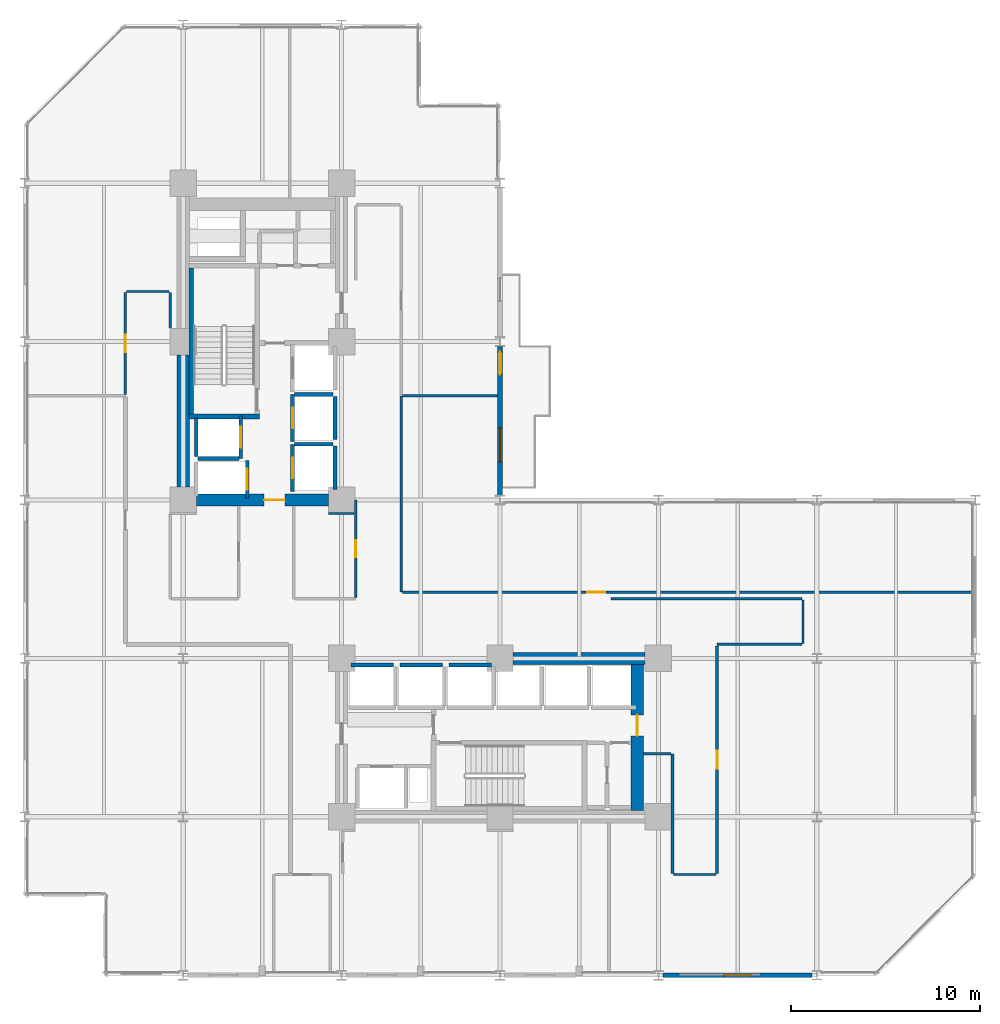
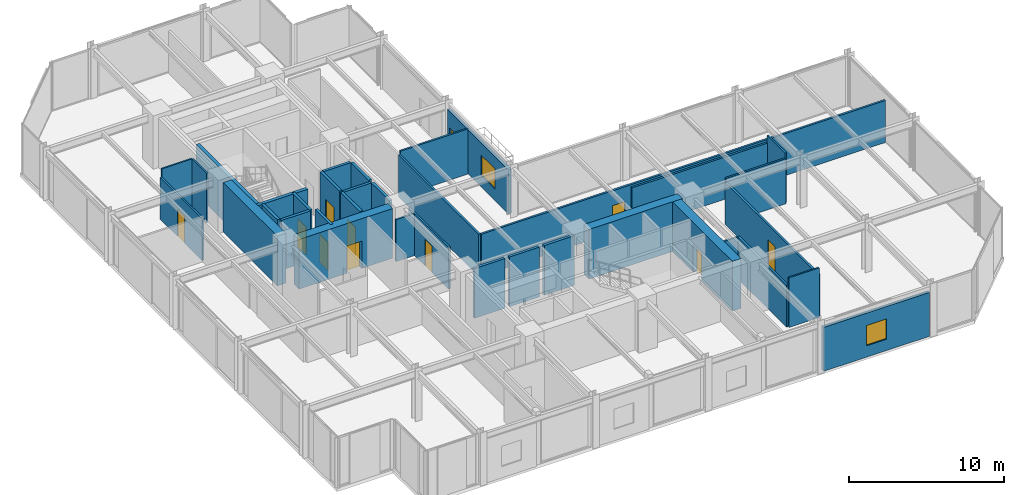
# One storey, part 20 of 24: 36 walls, 11 doors, 2 windows, 13 openings.
"""IFC4 building model written with IfcOpenShell, lengths in metres."""

from ifc_helpers import new_model, si_unit, direction, frame, frame_2d, origin, place, context, subcontext, project, spatial, rectangle, extrude, material, layer, layer_set, type_object, element, fill, save


model = new_model("IFC4")

# Units and contexts
model_context = context("Model", 3, precision=1e-05, world=origin(), true_north=direction((0.0, 1.0)))
body_context = subcontext(model_context, "Body", "Model", "MODEL_VIEW")
ifc_project = project(units=[si_unit("LENGTHUNIT", "METRE"), si_unit("AREAUNIT", "SQUARE_METRE"), si_unit("VOLUMEUNIT", "CUBIC_METRE"), si_unit("PLANEANGLEUNIT", "RADIAN"), si_unit("MASSUNIT", "GRAM", prefix="KILO")], contexts=[model_context])

# Site, building, storey
site_placement = place(None, origin())
site = spatial("IfcSite", under=ifc_project, at=site_placement, CompositionType="ELEMENT")
building_placement = place(site_placement, origin())
building = spatial("IfcBuilding", under=site, at=building_placement, Name="Nerrivon Quay Data Exchange", CompositionType="ELEMENT")
storey_placement = place(building_placement, frame((0.0, 0.0, 50.0)))
storey = spatial("IfcBuildingStorey", under=building, at=storey_placement, Name="L11", CompositionType="ELEMENT", Elevation=50.0)

# Wall, opening, window
ifc_material_1 = material(Name="Architectural terracotta precast concrete N50 (50 MPa)", Category="masonry")
ifc_layer_1 = layer(ifc_material_1, 0.239990234375)
ifc_layer_set_1 = layer_set([ifc_layer_1], Name="Architectural terracotta precast concrete N50 (50 MPa)")
wall_type_1 = type_object("IfcWallType", Name="EW-PREC-240", PredefinedType="STANDARD", material=ifc_layer_set_1)
wall_1_placement = place(storey_placement, frame((41.75, 0.0, 0.0), z_axis=(0.0, 0.0, 1.0), x_axis=(-1.0, 0.0, 0.0)))
wall_1 = element("IfcWall", 1, at=wall_1_placement, inside=storey, type_object=wall_type_1, Name="L11 Podium Precast Spandrel Wall 3", PredefinedType="STANDARD", context=body_context, shape_type="SweptSolid", body=[
    extrude(rectangle(XDim=7.89990234375, YDim=0.239990234375, at=frame_2d((3.949951171875, 0.0))), origin(), (0.0, 0.0, 1.0), 3.470947265625),
])
opening_1_placement = place(wall_1_placement, frame((3.199951171875, 0.0, 0.89990234375)))
opening_1 = element("IfcOpeningElement", 2, at=opening_1_placement, cuts=wall_1, Name="Opening WN4", PredefinedType="OPENING", context=body_context, shape_type="SweptSolid", body=[
    extrude(rectangle(XDim=1.5, YDim=1.60009765625, at=frame_2d((0.75, 0.800048828125))), frame((0.0, 0.1298828125, 0.0), z_axis=(0.0, -1.0, 0.0), x_axis=(1.0, 0.0, 0.0)), (0.0, 0.0, 1.0), 0.260009765625),
])
ifc_material_2 = material(Name="Double-glazed low-E solar control glass", Category="glass")
window_type_1 = type_object("IfcWindowType", Name="WIN-W4-1500x1600", PartitioningType="SINGLE_PANEL", PredefinedType="WINDOW", material=ifc_material_2)
window_1_placement = place(opening_1_placement, origin())
window_1 = element("IfcWindow", 3, at=window_1_placement, inside=storey, type_object=window_type_1, Name="L11 Solar Facade Window 3", OverallHeight=1.60009765625, OverallWidth=1.5, PartitioningType="SINGLE_PANEL", PredefinedType="WINDOW", context=body_context, shape_type="SweptSolid", body=[
    extrude(rectangle(XDim=1.5, YDim=1.60009765625, at=frame_2d((0.75, 0.800048828125))), frame((0.0, 0.030029296875, 0.0), z_axis=(0.0, -1.0, 0.0), x_axis=(1.0, 0.0, 0.0)), (0.0, 0.0, 1.0), 0.06005859375),
])
fill(opening_1, window_1)

# Wall, openings, door, window
wall_2_placement = place(storey_placement, frame((25.199951171875, 33.35009765625, 0.0), z_axis=(0.0, 0.0, 1.0), x_axis=(0.0, -1.0, 0.0)))
wall_2 = element("IfcWall", 4, at=wall_2_placement, inside=storey, type_object=wall_type_1, Name="L11 Terrace Host Wall 27", PredefinedType="STANDARD", context=body_context, shape_type="SweptSolid", body=[
    extrude(rectangle(XDim=7.900146484375, YDim=0.239990234375, at=frame_2d((3.9501953125, 0.0))), origin(), (0.0, 0.0, 1.0), 3.470947265625),
])
opening_2_placement = place(wall_2_placement, frame((0.300048828125, 0.0, 0.0)))
opening_2 = element("IfcOpeningElement", 5, at=opening_2_placement, cuts=wall_2, Name="Opening TD1", PredefinedType="OPENING", context=body_context, shape_type="SweptSolid", body=[
    extrude(rectangle(XDim=1.199951171875, YDim=2.199951171875, at=frame_2d((0.60009765625, 1.10009765625))), frame((0.0, 0.1298828125, 0.0), z_axis=(0.0, -1.0, 0.0), x_axis=(1.0, 0.0, 0.0)), (0.0, 0.0, 1.0), 0.260009765625),
])
opening_3_placement = place(wall_2_placement, frame((4.3291015625, 0.0, 0.89990234375)))
opening_3 = element("IfcOpeningElement", 6, at=opening_3_placement, cuts=wall_2, Name="Opening WN2", PredefinedType="OPENING", context=body_context, shape_type="SweptSolid", body=[
    extrude(rectangle(XDim=1.800048828125, YDim=1.60009765625, at=frame_2d((0.89990234375, 0.800048828125))), frame((0.0, 0.1298828125, 0.0), z_axis=(0.0, -1.0, 0.0), x_axis=(1.0, 0.0, 0.0)), (0.0, 0.0, 1.0), 0.260009765625),
])
door_type_1 = type_object("IfcDoorType", Name="DR-TERR-1200x2200", OperationType="NOTDEFINED", PredefinedType="DOOR", material=ifc_material_2)
door_1_placement = place(opening_2_placement, origin())
door_1 = element("IfcDoor", 7, at=door_1_placement, inside=storey, type_object=door_type_1, Name="L11 Outdoor Terrace Access Door 27", OperationType="SINGLE_SWING_RIGHT", OverallHeight=2.199951171875, OverallWidth=1.199951171875, PredefinedType="DOOR", context=body_context, shape_type="SweptSolid", body=[
    extrude(rectangle(XDim=1.199951171875, YDim=2.199951171875, at=frame_2d((0.60009765625, 1.10009765625))), frame((0.0, 0.02490234375, 0.0), z_axis=(0.0, -1.0, 0.0), x_axis=(1.0, 0.0, 0.0)), (0.0, 0.0, 1.0), 0.050048828125),
])
fill(opening_2, door_1)
window_type_2 = type_object("IfcWindowType", Name="WIN-W2-1800x1600", PartitioningType="SINGLE_PANEL", PredefinedType="WINDOW", material=ifc_material_2)
window_2_placement = place(opening_3_placement, origin())
window_2 = element("IfcWindow", 8, at=window_2_placement, inside=storey, type_object=window_type_2, Name="L11 Terrace Side Window 27", OverallHeight=1.60009765625, OverallWidth=1.800048828125, PartitioningType="SINGLE_PANEL", PredefinedType="WINDOW", context=body_context, shape_type="SweptSolid", body=[
    extrude(rectangle(XDim=1.800048828125, YDim=1.60009765625, at=frame_2d((0.89990234375, 0.800048828125))), frame((0.0, 0.030029296875, 0.0), z_axis=(0.0, -1.0, 0.0), x_axis=(1.0, 0.0, 0.0)), (0.0, 0.0, 1.0), 0.06005859375),
])
fill(opening_3, window_2)

# Wall
ifc_material_3 = material(Name="Concrete N80 (80 MPa)", Category="concrete")
ifc_layer_2 = layer(ifc_material_3, 0.64990234375)
ifc_layer_set_2 = layer_set([ifc_layer_2], Name="Concrete N80 (80 MPa)")
wall_type_2 = type_object("IfcWallType", Name="WALL-CW-850", PredefinedType="SHEAR", material=ifc_layer_set_2)
wall_3_placement = place(storey_placement, frame((8.39990234375, 25.89990234375, 0.0), z_axis=(0.0, 0.0, 1.0), x_axis=(0.0, 1.0, 0.0)))
element("IfcWall", 9, at=wall_3_placement, inside=storey, type_object=wall_type_2, Name="L11 West Split-Core Shear Wall WCW-W1", PredefinedType="SHEAR", context=body_context, shape_type="SweptSolid", body=[
    extrude(rectangle(XDim=7.0, YDim=0.64990234375, at=frame_2d((3.5, 0.0))), origin(), (0.0, 0.0, 1.0), 3.925048828125),
])

# Wall, opening, door
wall_4_placement = place(storey_placement, frame((9.10009765625, 25.199951171875, 0.0), z_axis=(0.0, 0.0, 1.0), x_axis=(1.0, 0.0, 0.0)))
wall_4 = element("IfcWall", 10, at=wall_4_placement, inside=storey, type_object=wall_type_2, Name="L11 West Split-Core Shear Wall WCW-S1", PredefinedType="SHEAR", context=body_context, shape_type="SweptSolid", body=[
    extrude(rectangle(XDim=7.0, YDim=0.64990234375, at=frame_2d((3.5, 0.0))), origin(), (0.0, 0.0, 1.0), 3.925048828125),
])
opening_4_placement = place(wall_4_placement, frame((3.60009765625, 0.0, 0.0)))
opening_4 = element("IfcOpeningElement", 11, at=opening_4_placement, cuts=wall_4, Name="Opening FD-120", PredefinedType="OPENING", context=body_context, shape_type="SweptSolid", body=[
    extrude(rectangle(XDim=1.10009765625, YDim=2.14990234375, at=frame_2d((0.550048828125, 1.074951171875))), frame((0.0, 0.3349609375, 0.0), z_axis=(0.0, -1.0, 0.0), x_axis=(1.0, 0.0, 0.0)), (0.0, 0.0, 1.0), 0.669921875),
])
ifc_material_4 = material(Name="Powder-coated galvanized steel sheet", Category="steel")
door_type_2 = type_object("IfcDoorType", Name="DR-FD120-1100", OperationType="NOTDEFINED", PredefinedType="DOOR", material=ifc_material_4)
door_2_placement = place(opening_4_placement, origin())
door_2 = element("IfcDoor", 12, at=door_2_placement, inside=storey, type_object=door_type_2, Name="L11 West Core Lobby Fire Door", OperationType="SINGLE_SWING_RIGHT", OverallHeight=2.14990234375, OverallWidth=1.10009765625, PredefinedType="DOOR", context=body_context, shape_type="SweptSolid", body=[
    extrude(rectangle(XDim=1.10009765625, YDim=2.14990234375, at=frame_2d((0.550048828125, 1.074951171875))), frame((0.0, 0.02490234375, 0.0), z_axis=(0.0, -1.0, 0.0), x_axis=(1.0, 0.0, 0.0)), (0.0, 0.0, 1.0), 0.050048828125),
])
fill(opening_4, door_2)

wall_5_placement = place(storey_placement, frame((32.47509765625, 8.72509765625, 0.0), z_axis=(0.0, 0.0, 1.0), x_axis=(0.0, 1.0, 0.0)))
wall_5 = element("IfcWall", 13, at=wall_5_placement, inside=storey, type_object=wall_type_2, Name="L11 East Split-Core Shear Wall ECW-E1", PredefinedType="SHEAR", context=body_context, shape_type="SweptSolid", body=[
    extrude(rectangle(XDim=7.75, YDim=0.64990234375, at=frame_2d((3.875, 0.0))), origin(), (0.0, 0.0, 1.0), 3.925048828125),
])
opening_5_placement = place(wall_5_placement, frame((3.97509765625, 0.0, 0.0)))
opening_5 = element("IfcOpeningElement", 14, at=opening_5_placement, cuts=wall_5, Name="Opening FD-120", PredefinedType="OPENING", context=body_context, shape_type="SweptSolid", body=[
    extrude(rectangle(XDim=1.10009765625, YDim=2.14990234375, at=frame_2d((0.550048828125, 1.074951171875))), frame((0.0, 0.3349609375, 0.0), z_axis=(0.0, -1.0, 0.0), x_axis=(1.0, 0.0, 0.0)), (0.0, 0.0, 1.0), 0.669921875),
])
door_3_placement = place(opening_5_placement, origin())
door_3 = element("IfcDoor", 15, at=door_3_placement, inside=storey, type_object=door_type_2, Name="L11 East Core Lobby Fire Door", OperationType="SINGLE_SWING_LEFT", OverallHeight=2.14990234375, OverallWidth=1.10009765625, PredefinedType="DOOR", context=body_context, shape_type="SweptSolid", body=[
    extrude(rectangle(XDim=1.10009765625, YDim=2.14990234375, at=frame_2d((0.550048828125, 1.074951171875))), frame((0.0, 0.02490234375, 0.0), z_axis=(0.0, -1.0, 0.0), x_axis=(1.0, 0.0, 0.0)), (0.0, 0.0, 1.0), 0.050048828125),
])
fill(opening_5, door_3)

# Wall
wall_6_placement = place(storey_placement, frame((25.89990234375, 16.800048828125, 0.0), z_axis=(0.0, 0.0, 1.0), x_axis=(1.0, 0.0, 0.0)))
element("IfcWall", 16, at=wall_6_placement, inside=storey, type_object=wall_type_2, Name="L11 East Split-Core Shear Wall ECW-N1", PredefinedType="SHEAR", context=body_context, shape_type="SweptSolid", body=[
    extrude(rectangle(XDim=7.0, YDim=0.64990234375, at=frame_2d((3.5, 0.0))), origin(), (0.0, 0.0, 1.0), 3.925048828125),
])

# Wall, opening, door
ifc_material_5 = material(Name="Gypsum plasterboard on cold-formed framing", Category="gypsum")
ifc_layer_3 = layer(ifc_material_5, 0.199951171875)
ifc_layer_set_3 = layer_set([ifc_layer_3], Name="Gypsum plasterboard on cold-formed framing")
wall_type_3 = type_object("IfcWallType", Name="WALL-FW-200", PredefinedType="PARTITIONING", material=ifc_layer_set_3)
wall_7_placement = place(storey_placement, frame((11.449951171875, 27.39990234375, 0.0), z_axis=(0.0, 0.0, 1.0), x_axis=(0.0, 1.0, 0.0)))
wall_7 = element("IfcWall", 17, at=wall_7_placement, inside=storey, type_object=wall_type_3, Name="L11 Lift Front Wall FFL-1", PredefinedType="PARTITIONING", context=body_context, shape_type="SweptSolid", body=[
    extrude(rectangle(XDim=2.25, YDim=0.199951171875, at=frame_2d((1.125, 0.0))), origin(), (0.0, 0.0, 1.0), 3.925048828125),
])
opening_6_placement = place(wall_7_placement, frame((0.574951171875, 0.0, 0.0)))
opening_6 = element("IfcOpeningElement", 18, at=opening_6_placement, cuts=wall_7, Name="Opening LD-120", PredefinedType="OPENING", context=body_context, shape_type="SweptSolid", body=[
    extrude(rectangle(XDim=1.10009765625, YDim=2.199951171875, at=frame_2d((0.550048828125, 1.10009765625))), frame((0.0, 0.10986328125, 0.0), z_axis=(0.0, -1.0, 0.0), x_axis=(1.0, 0.0, 0.0)), (0.0, 0.0, 1.0), 0.219970703125),
])
door_type_3 = type_object("IfcDoorType", Name="DR-LIFT-LD120", OperationType="DOUBLE_DOOR_SLIDING", PredefinedType="DOOR", material=ifc_material_4)
door_4_placement = place(opening_6_placement, origin())
door_4 = element("IfcDoor", 19, at=door_4_placement, inside=storey, type_object=door_type_3, Name="L11 Lift Landing Sliding Door FFL-1", OperationType="DOUBLE_DOOR_SLIDING", OverallHeight=2.199951171875, OverallWidth=1.10009765625, PredefinedType="DOOR", context=body_context, shape_type="SweptSolid", body=[
    extrude(rectangle(XDim=1.10009765625, YDim=2.199951171875, at=frame_2d((0.550048828125, 1.10009765625))), frame((0.0, 0.02490234375, 0.0), z_axis=(0.0, -1.0, 0.0), x_axis=(1.0, 0.0, 0.0)), (0.0, 0.0, 1.0), 0.050048828125),
])
fill(opening_6, door_4)

# Walls
wall_8_placement = place(storey_placement, frame((9.10009765625, 27.5, 0.0), z_axis=(0.0, 0.0, 1.0), x_axis=(0.0, 1.0, 0.0)))
element("IfcWall", 20, at=wall_8_placement, inside=storey, type_object=wall_type_3, Name="L11 Lift Shaft Wall FFL-1 WEST", PredefinedType="PARTITIONING", context=body_context, shape_type="SweptSolid", body=[
    extrude(rectangle(XDim=2.050048828125, YDim=0.199951171875, at=frame_2d((1.02490234375, 0.0))), origin(), (0.0, 0.0, 1.0), 3.925048828125),
])
wall_9_placement = place(storey_placement, frame((9.199951171875, 27.39990234375, 0.0), z_axis=(0.0, 0.0, 1.0), x_axis=(1.0, 0.0, 0.0)))
element("IfcWall", 21, at=wall_9_placement, inside=storey, type_object=wall_type_3, Name="L11 Lift Shaft Wall FFL-1 SOUTH", PredefinedType="PARTITIONING", context=body_context, shape_type="SweptSolid", body=[
    extrude(rectangle(XDim=2.150146484375, YDim=0.199951171875, at=frame_2d((1.0751953125, 0.0))), origin(), (0.0, 0.0, 1.0), 3.925048828125),
])

# Wall, opening, door
wall_10_placement = place(storey_placement, frame((11.800048828125, 25.300048828125, 0.0), z_axis=(0.0, 0.0, 1.0), x_axis=(0.0, 1.0, 0.0)))
wall_10 = element("IfcWall", 22, at=wall_10_placement, inside=storey, type_object=wall_type_3, Name="L11 Lift Front Wall SVL-1", PredefinedType="PARTITIONING", context=body_context, shape_type="SweptSolid", body=[
    extrude(rectangle(XDim=2.0, YDim=0.199951171875, at=frame_2d((1.0, 0.0))), origin(), (0.0, 0.0, 1.0), 3.925048828125),
])
opening_7_placement = place(wall_10_placement, frame((0.449951171875, 0.0, 0.0)))
opening_7 = element("IfcOpeningElement", 23, at=opening_7_placement, cuts=wall_10, Name="Opening LD-120", PredefinedType="OPENING", context=body_context, shape_type="SweptSolid", body=[
    extrude(rectangle(XDim=1.10009765625, YDim=2.199951171875, at=frame_2d((0.550048828125, 1.10009765625))), frame((0.0, 0.10986328125, 0.0), z_axis=(0.0, -1.0, 0.0), x_axis=(1.0, 0.0, 0.0)), (0.0, 0.0, 1.0), 0.219970703125),
])
door_5_placement = place(opening_7_placement, origin())
door_5 = element("IfcDoor", 24, at=door_5_placement, inside=storey, type_object=door_type_3, Name="L11 Lift Landing Sliding Door SVL-1", OperationType="DOUBLE_DOOR_SLIDING", OverallHeight=2.199951171875, OverallWidth=1.10009765625, PredefinedType="DOOR", context=body_context, shape_type="SweptSolid", body=[
    extrude(rectangle(XDim=1.10009765625, YDim=2.199951171875, at=frame_2d((0.550048828125, 1.10009765625))), frame((0.0, 0.02490234375, 0.0), z_axis=(0.0, -1.0, 0.0), x_axis=(1.0, 0.0, 0.0)), (0.0, 0.0, 1.0), 0.050048828125),
])
fill(opening_7, door_5)

wall_11_placement = place(storey_placement, frame((14.199951171875, 25.64990234375, 0.0), z_axis=(0.0, 0.0, 1.0), x_axis=(0.0, 1.0, 0.0)))
wall_11 = element("IfcWall", 25, at=wall_11_placement, inside=storey, type_object=wall_type_3, Name="L11 Lift Front Wall PL1", PredefinedType="PARTITIONING", context=body_context, shape_type="SweptSolid", body=[
    extrude(rectangle(XDim=2.5, YDim=0.199951171875, at=frame_2d((1.25, 0.0))), origin(), (0.0, 0.0, 1.0), 3.925048828125),
])
opening_8_placement = place(wall_11_placement, frame((0.699951171875, 0.0, 0.0)))
opening_8 = element("IfcOpeningElement", 26, at=opening_8_placement, cuts=wall_11, Name="Opening LD-120", PredefinedType="OPENING", context=body_context, shape_type="SweptSolid", body=[
    extrude(rectangle(XDim=1.10009765625, YDim=2.199951171875, at=frame_2d((0.550048828125, 1.10009765625))), frame((0.0, 0.10986328125, 0.0), z_axis=(0.0, -1.0, 0.0), x_axis=(1.0, 0.0, 0.0)), (0.0, 0.0, 1.0), 0.219970703125),
])
door_6_placement = place(opening_8_placement, origin())
door_6 = element("IfcDoor", 27, at=door_6_placement, inside=storey, type_object=door_type_3, Name="L11 Lift Landing Sliding Door PL1", OperationType="DOUBLE_DOOR_SLIDING", OverallHeight=2.199951171875, OverallWidth=1.10009765625, PredefinedType="DOOR", context=body_context, shape_type="SweptSolid", body=[
    extrude(rectangle(XDim=1.10009765625, YDim=2.199951171875, at=frame_2d((0.550048828125, 1.10009765625))), frame((0.0, 0.02490234375, 0.0), z_axis=(0.0, -1.0, 0.0), x_axis=(1.0, 0.0, 0.0)), (0.0, 0.0, 1.0), 0.050048828125),
])
fill(opening_8, door_6)

# Walls
wall_12_placement = place(storey_placement, frame((16.449951171875, 25.75, 0.0), z_axis=(0.0, 0.0, 1.0), x_axis=(0.0, 1.0, 0.0)))
element("IfcWall", 28, at=wall_12_placement, inside=storey, type_object=wall_type_3, Name="L11 Lift Shaft Wall PL1 EAST", PredefinedType="PARTITIONING", context=body_context, shape_type="SweptSolid", body=[
    extrude(rectangle(XDim=2.300048828125, YDim=0.199951171875, at=frame_2d((1.14990234375, 0.0))), origin(), (0.0, 0.0, 1.0), 3.925048828125),
])
wall_13_placement = place(storey_placement, frame((14.300048828125, 28.14990234375, 0.0), z_axis=(0.0, 0.0, 1.0), x_axis=(1.0, 0.0, 0.0)))
element("IfcWall", 29, at=wall_13_placement, inside=storey, type_object=wall_type_3, Name="L11 Lift Shaft Wall PL1 NORTH", PredefinedType="PARTITIONING", context=body_context, shape_type="SweptSolid", body=[
    extrude(rectangle(XDim=2.050048828125, YDim=0.199951171875, at=frame_2d((1.02490234375, 0.0))), origin(), (0.0, 0.0, 1.0), 3.925048828125),
])

# Wall, opening, door
wall_14_placement = place(storey_placement, frame((14.199951171875, 28.300048828125, 0.0), z_axis=(0.0, 0.0, 1.0), x_axis=(0.0, 1.0, 0.0)))
wall_14 = element("IfcWall", 30, at=wall_14_placement, inside=storey, type_object=wall_type_3, Name="L11 Lift Front Wall PL2", PredefinedType="PARTITIONING", context=body_context, shape_type="SweptSolid", body=[
    extrude(rectangle(XDim=2.5, YDim=0.199951171875, at=frame_2d((1.25, 0.0))), origin(), (0.0, 0.0, 1.0), 3.925048828125),
])
opening_9_placement = place(wall_14_placement, frame((0.699951171875, 0.0, 0.0)))
opening_9 = element("IfcOpeningElement", 31, at=opening_9_placement, cuts=wall_14, Name="Opening LD-120", PredefinedType="OPENING", context=body_context, shape_type="SweptSolid", body=[
    extrude(rectangle(XDim=1.10009765625, YDim=2.199951171875, at=frame_2d((0.550048828125, 1.10009765625))), frame((0.0, 0.10986328125, 0.0), z_axis=(0.0, -1.0, 0.0), x_axis=(1.0, 0.0, 0.0)), (0.0, 0.0, 1.0), 0.219970703125),
])
door_7_placement = place(opening_9_placement, origin())
door_7 = element("IfcDoor", 32, at=door_7_placement, inside=storey, type_object=door_type_3, Name="L11 Lift Landing Sliding Door PL2", OperationType="DOUBLE_DOOR_SLIDING", OverallHeight=2.199951171875, OverallWidth=1.10009765625, PredefinedType="DOOR", context=body_context, shape_type="SweptSolid", body=[
    extrude(rectangle(XDim=1.10009765625, YDim=2.199951171875, at=frame_2d((0.550048828125, 1.10009765625))), frame((0.0, 0.02490234375, 0.0), z_axis=(0.0, -1.0, 0.0), x_axis=(1.0, 0.0, 0.0)), (0.0, 0.0, 1.0), 0.050048828125),
])
fill(opening_9, door_7)

# Walls
wall_15_placement = place(storey_placement, frame((16.449951171875, 28.39990234375, 0.0), z_axis=(0.0, 0.0, 1.0), x_axis=(0.0, 1.0, 0.0)))
element("IfcWall", 33, at=wall_15_placement, inside=storey, type_object=wall_type_3, Name="L11 Lift Shaft Wall PL2 EAST", PredefinedType="PARTITIONING", context=body_context, shape_type="SweptSolid", body=[
    extrude(rectangle(XDim=2.300048828125, YDim=0.199951171875, at=frame_2d((1.14990234375, 0.0))), origin(), (0.0, 0.0, 1.0), 3.925048828125),
])
wall_16_placement = place(storey_placement, frame((14.300048828125, 30.800048828125, 0.0), z_axis=(0.0, 0.0, 1.0), x_axis=(1.0, 0.0, 0.0)))
element("IfcWall", 34, at=wall_16_placement, inside=storey, type_object=wall_type_3, Name="L11 Lift Shaft Wall PL2 NORTH", PredefinedType="PARTITIONING", context=body_context, shape_type="SweptSolid", body=[
    extrude(rectangle(XDim=2.050048828125, YDim=0.199951171875, at=frame_2d((1.02490234375, 0.0))), origin(), (0.0, 0.0, 1.0), 3.925048828125),
])
for number, where, z_axis, x_axis, name in (
    (35, (17.300048828125, 16.449951171875, 0.0), (0.0, 0.0, 1.0), (1.0, 0.0, 0.0), "L11 Lift Shaft Wall PL4 NORTH"),
    (36, (19.89990234375, 16.449951171875, 0.0), (0.0, 0.0, 1.0), (1.0, 0.0, 0.0), "L11 Lift Shaft Wall PL5 NORTH"),
    (37, (22.5, 16.449951171875, 0.0), (0.0, 0.0, 1.0), (1.0, 0.0, 0.0), "L11 Lift Shaft Wall PL6 NORTH"),
):
    element("IfcWall", number, at=place(storey_placement, frame(where, z_axis=z_axis, x_axis=x_axis)), inside=storey, type_object=wall_type_3, Name=name, PredefinedType="PARTITIONING", context=body_context, shape_type="SweptSolid", body=[
        extrude(rectangle(XDim=2.25, YDim=0.199951171875, at=frame_2d((1.125, 0.0))), origin(), (0.0, 0.0, 1.0), 3.925048828125),
    ])
ifc_layer_4 = layer(ifc_material_5, 0.1201171875)
ifc_layer_set_4 = layer_set([ifc_layer_4], Name="Gypsum plasterboard on cold-formed framing")
wall_type_4 = type_object("IfcWallType", Name="WALL-PT-120", PredefinedType="PARTITIONING", material=ifc_layer_set_4)
wall_17_placement = place(storey_placement, frame((17.468505859375, 24.48046875, 0.0), z_axis=(0.0, 0.0, 1.0), x_axis=(-0.99999993688, 0.000355302873, 0.0)))
element("IfcWall", 38, at=wall_17_placement, inside=storey, type_object=wall_type_4, Name="L11 Partition Public Washrooms", PredefinedType="PARTITIONING", context=body_context, shape_type="SweptSolid", body=[
    extrude(rectangle(XDim=1.374267578125, YDim=0.1201171875, at=frame_2d((0.68701171875, 0.0))), origin(), (0.0, 0.0, 1.0), 3.322998046875),
])
wall_18_placement = place(storey_placement, frame((5.39990234375, 36.260009765625, 0.0), z_axis=(0.0, 0.0, 1.0), x_axis=(1.0, 0.0, 0.0)))
element("IfcWall", 39, at=wall_18_placement, inside=storey, type_object=wall_type_4, Name="L11 Partition Cloud Compute Workspace 1", PredefinedType="PARTITIONING", context=body_context, shape_type="SweptSolid", body=[
    extrude(rectangle(XDim=2.25, YDim=0.1201171875, at=frame_2d((1.125, 0.0))), origin(), (0.0, 0.0, 1.0), 3.925048828125),
])
wall_19_placement = place(storey_placement, frame((7.7099609375, 36.199951171875, 0.0), z_axis=(0.0, 0.0, 1.0), x_axis=(0.0, -1.0, 0.0)))
element("IfcWall", 40, at=wall_19_placement, inside=storey, type_object=wall_type_4, Name="L11 Partition Cloud Compute Workspace 1", PredefinedType="PARTITIONING", context=body_context, shape_type="SweptSolid", body=[
    extrude(rectangle(XDim=1.8798828125, YDim=0.1201171875, at=frame_2d((0.93994140625, 0.0))), origin(), (0.0, 0.0, 1.0), 3.925048828125),
])
wall_20_placement = place(storey_placement, frame((41.260009765625, 19.89990234375, 0.0), z_axis=(0.0, 0.0, 1.0), x_axis=(-0.000105876124, -0.999999994395, 0.0)))
element("IfcWall", 41, at=wall_20_placement, inside=storey, type_object=wall_type_4, Name="L11 Partition Optical Engineering Studios Workspace", PredefinedType="PARTITIONING", context=body_context, shape_type="SweptSolid", body=[
    extrude(rectangle(XDim=2.305908203125, YDim=0.1201171875, at=frame_2d((1.15283203125, 0.0))), origin(), (0.0, 0.0, 1.0), 3.925048828125),
])
wall_21_placement = place(storey_placement, frame((36.64990234375, 5.340087890625, 0.0), z_axis=(0.0, 0.0, 1.0), x_axis=(-1.0, 0.0, 0.0)))
element("IfcWall", 42, at=wall_21_placement, inside=storey, type_object=wall_type_4, Name="L11 Partition Optical Engineering Studios Workspace", PredefinedType="PARTITIONING", context=body_context, shape_type="SweptSolid", body=[
    extrude(rectangle(XDim=2.25, YDim=0.1201171875, at=frame_2d((1.125, 0.0))), origin(), (0.0, 0.0, 1.0), 3.925048828125),
])
wall_22_placement = place(storey_placement, frame((34.260986328125, 11.739990234375, 0.0), z_axis=(0.0, 0.0, 1.0), x_axis=(-1.0, 0.0, 0.0)))
element("IfcWall", 43, at=wall_22_placement, inside=storey, type_object=wall_type_4, Name="L11 Partition Optical Engineering Studios Workspace", PredefinedType="PARTITIONING", context=body_context, shape_type="SweptSolid", body=[
    extrude(rectangle(XDim=1.45703125, YDim=0.1201171875, at=frame_2d((0.728515625, 0.0))), origin(), (0.0, 0.0, 1.0), 3.322998046875),
])

# Wall, opening, door
ifc_layer_5 = layer(ifc_material_5, 0.135009765625)
ifc_layer_set_5 = layer_set([ifc_layer_5], Name="Gypsum plasterboard on cold-formed framing")
wall_type_5 = type_object("IfcWallType", Name="WALL-PT-135", PredefinedType="PARTITIONING", material=ifc_layer_set_5)
wall_23_placement = place(storey_placement, frame((17.5400390625, 20.031494140625, 0.0), z_axis=(0.0, 0.0, 1.0), x_axis=(0.0, 1.0, 0.0)))
wall_23 = element("IfcWall", 44, at=wall_23_placement, inside=storey, type_object=wall_type_5, Name="L11 Partition Public Washrooms", PredefinedType="PARTITIONING", context=body_context, shape_type="SweptSolid", body=[
    extrude(rectangle(XDim=5.16845703125, YDim=0.135009765625, at=frame_2d((2.584228515625, 0.0))), origin(), (0.0, 0.0, 1.0), 3.31298828125),
])
opening_10_placement = place(wall_23_placement, frame((2.124267578125, 0.0, 0.0)))
opening_10 = element("IfcOpeningElement", 45, at=opening_10_placement, cuts=wall_23, Name="Opening D-WC", PredefinedType="OPENING", context=body_context, shape_type="SweptSolid", body=[
    extrude(rectangle(XDim=0.919921875, YDim=2.10009765625, at=frame_2d((0.4599609375, 1.050048828125))), frame((0.0, 0.077392578125, 0.0), z_axis=(0.0, -1.0, 0.0), x_axis=(1.0, 0.0, 0.0)), (0.0, 0.0, 1.0), 0.155029296875),
])
ifc_material_6 = material(Name="Engineered hardwood timber", Category="wood")
door_type_4 = type_object("IfcDoorType", Name="DR-WC-920", OperationType="NOTDEFINED", PredefinedType="DOOR", material=ifc_material_6)
door_8_placement = place(opening_10_placement, origin())
door_8 = element("IfcDoor", 46, at=door_8_placement, inside=storey, type_object=door_type_4, Name="L11 Door Public Washrooms", OperationType="SINGLE_SWING_RIGHT", OverallHeight=2.10009765625, OverallWidth=0.919921875, PredefinedType="DOOR", context=body_context, shape_type="SweptSolid", body=[
    extrude(rectangle(XDim=0.919921875, YDim=2.10009765625, at=frame_2d((0.4599609375, 1.050048828125))), frame((0.0, 0.02490234375, 0.0), z_axis=(0.0, -1.0, 0.0), x_axis=(1.0, 0.0, 0.0)), (0.0, 0.0, 1.0), 0.050048828125),
])
fill(opening_10, door_8)

# Wall
wall_24_placement = place(storey_placement, frame((20.0390625, 30.721923828125, 0.0), z_axis=(0.0, 0.0, 1.0), x_axis=(1.0, 0.0, 0.0)))
element("IfcWall", 47, at=wall_24_placement, inside=storey, type_object=wall_type_5, Name="L11 Partition Staff Bistro", PredefinedType="PARTITIONING", context=body_context, shape_type="SweptSolid", body=[
    extrude(rectangle(XDim=5.036865234375, YDim=0.135009765625, at=frame_2d((2.5185546875, 0.0))), origin(), (0.0, 0.0, 1.0), 3.56591796875),
])

# Wall, opening, door
wall_25_placement = place(storey_placement, frame((5.340087890625, 30.79345703125, 0.0), z_axis=(0.0, 0.0, 1.0), x_axis=(0.0, 1.0, 0.0)))
wall_25 = element("IfcWall", 48, at=wall_25_placement, inside=storey, type_object=wall_type_5, Name="L11 Partition Cloud Compute Workspace 1", PredefinedType="PARTITIONING", context=body_context, shape_type="SweptSolid", body=[
    extrude(rectangle(XDim=5.406494140625, YDim=0.135009765625, at=frame_2d((2.703125, 0.0))), origin(), (0.0, 0.0, 1.0), 3.31298828125),
])
opening_11_placement = place(wall_25_placement, frame((2.228271484375, 0.0, 0.0)))
opening_11 = element("IfcOpeningElement", 49, at=opening_11_placement, cuts=wall_25, Name="Opening D-01", PredefinedType="OPENING", context=body_context, shape_type="SweptSolid", body=[
    extrude(rectangle(XDim=0.949951171875, YDim=2.14990234375, at=frame_2d((0.47509765625, 1.074951171875))), frame((0.0, 0.077392578125, 0.0), z_axis=(0.0, -1.0, 0.0), x_axis=(1.0, 0.0, 0.0)), (0.0, 0.0, 1.0), 0.155029296875),
])
door_type_5 = type_object("IfcDoorType", Name="DR-INT-950", OperationType="NOTDEFINED", PredefinedType="DOOR", material=ifc_material_6)
door_9_placement = place(opening_11_placement, origin())
door_9 = element("IfcDoor", 50, at=door_9_placement, inside=storey, type_object=door_type_5, Name="L11 Door Cloud Compute Workspace 1", OperationType="SINGLE_SWING_LEFT", OverallHeight=2.14990234375, OverallWidth=0.949951171875, PredefinedType="DOOR", context=body_context, shape_type="SweptSolid", body=[
    extrude(rectangle(XDim=0.949951171875, YDim=2.14990234375, at=frame_2d((0.47509765625, 1.074951171875))), frame((0.0, 0.02490234375, 0.0), z_axis=(0.0, -1.0, 0.0), x_axis=(1.0, 0.0, 0.0)), (0.0, 0.0, 1.0), 0.050048828125),
])
fill(opening_11, door_9)

# Walls
wall_26_placement = place(storey_placement, frame((41.199951171875, 17.5400390625, 0.0), z_axis=(0.0, 0.0, 1.0), x_axis=(-1.0, 0.0, 0.0)))
element("IfcWall", 51, at=wall_26_placement, inside=storey, type_object=wall_type_5, Name="L11 Partition Optical Engineering Studios Workspace", PredefinedType="PARTITIONING", context=body_context, shape_type="SweptSolid", body=[
    extrude(rectangle(XDim=4.489990234375, YDim=0.135009765625, at=frame_2d((2.2451171875, 0.0))), origin(), (0.0, 0.0, 1.0), 3.56591796875),
])
ifc_layer_6 = layer(ifc_material_5, 0.14990234375)
ifc_layer_set_6 = layer_set([ifc_layer_6], Name="Gypsum plasterboard on cold-formed framing")
wall_type_6 = type_object("IfcWallType", Name="WALL-PT-150", PredefinedType="PARTITIONING", material=ifc_layer_set_6)
wall_27_placement = place(storey_placement, frame((19.9599609375, 30.701904296875, 0.0), z_axis=(0.0, 0.0, 1.0), x_axis=(0.0, -1.0, 0.0)))
element("IfcWall", 52, at=wall_27_placement, inside=storey, type_object=wall_type_6, Name="L11 Partition Technical Library", PredefinedType="PARTITIONING", context=body_context, shape_type="SweptSolid", body=[
    extrude(rectangle(XDim=10.39208984375, YDim=0.14990234375, at=frame_2d((5.196044921875, 0.0))), origin(), (0.0, 0.0, 1.0), 3.31298828125),
])

# Wall, opening, door
wall_28_placement = place(storey_placement, frame((20.0390625, 20.309814453125, 0.0), z_axis=(0.0, 0.0, 1.0), x_axis=(1.0, 0.0, 0.0)))
wall_28 = element("IfcWall", 53, at=wall_28_placement, inside=storey, type_object=wall_type_6, Name="L11 Partition Technical Library", PredefinedType="PARTITIONING", context=body_context, shape_type="SweptSolid", body=[
    extrude(rectangle(XDim=30.19189453125, YDim=0.14990234375, at=frame_2d((15.095947265625, 0.0))), origin(), (0.0, 0.0, 1.0), 3.322998046875),
])
opening_12_placement = place(wall_28_placement, frame((9.790283203125, 0.0, 0.0)))
opening_12 = element("IfcOpeningElement", 54, at=opening_12_placement, cuts=wall_28, Name="Opening D-01", PredefinedType="OPENING", context=body_context, shape_type="SweptSolid", body=[
    extrude(rectangle(XDim=0.949951171875, YDim=2.14990234375, at=frame_2d((0.47509765625, 1.074951171875))), frame((0.0, 0.0849609375, 0.0), z_axis=(0.0, -1.0, 0.0), x_axis=(1.0, 0.0, 0.0)), (0.0, 0.0, 1.0), 0.169921875),
])
door_10_placement = place(opening_12_placement, origin())
door_10 = element("IfcDoor", 55, at=door_10_placement, inside=storey, type_object=door_type_5, Name="L11 Door Technical Library", OperationType="SINGLE_SWING_RIGHT", OverallHeight=2.14990234375, OverallWidth=0.949951171875, PredefinedType="DOOR", context=body_context, shape_type="SweptSolid", body=[
    extrude(rectangle(XDim=0.949951171875, YDim=2.14990234375, at=frame_2d((0.47509765625, 1.074951171875))), frame((0.0, 0.02490234375, 0.0), z_axis=(0.0, -1.0, 0.0), x_axis=(1.0, 0.0, 0.0)), (0.0, 0.0, 1.0), 0.050048828125),
])
fill(opening_12, door_10)

# Wall
wall_29_placement = place(storey_placement, frame((31.094482421875, 19.959716796875, 0.0), z_axis=(0.0, 0.0, 1.0), x_axis=(1.0, 0.0, 0.0)))
element("IfcWall", 56, at=wall_29_placement, inside=storey, type_object=wall_type_6, Name="L11 Partition Optical Engineering Studios Workspace", PredefinedType="PARTITIONING", context=body_context, shape_type="SweptSolid", body=[
    extrude(rectangle(XDim=10.111328125, YDim=0.14990234375, at=frame_2d((5.0556640625, 0.0))), origin(), (0.0, 0.0, 1.0), 3.322998046875),
])

# Wall, opening, door
wall_30_placement = place(storey_placement, frame((36.7099609375, 17.468505859375, 0.0), z_axis=(0.0, 0.0, 1.0), x_axis=(0.0, -1.0, 0.0)))
wall_30 = element("IfcWall", 57, at=wall_30_placement, inside=storey, type_object=wall_type_6, Name="L11 Partition Optical Engineering Studios Workspace", PredefinedType="PARTITIONING", context=body_context, shape_type="SweptSolid", body=[
    extrude(rectangle(XDim=12.068603515625, YDim=0.14990234375, at=frame_2d((6.0341796875, 0.0))), origin(), (0.0, 0.0, 1.0), 3.31298828125),
])
opening_13_placement = place(wall_30_placement, frame((5.55908203125, 0.0, 0.0)))
opening_13 = element("IfcOpeningElement", 58, at=opening_13_placement, cuts=wall_30, Name="Opening D-01", PredefinedType="OPENING", context=body_context, shape_type="SweptSolid", body=[
    extrude(rectangle(XDim=0.949951171875, YDim=2.14990234375, at=frame_2d((0.47509765625, 1.074951171875))), frame((0.0, 0.0849609375, 0.0), z_axis=(0.0, -1.0, 0.0), x_axis=(1.0, 0.0, 0.0)), (0.0, 0.0, 1.0), 0.169921875),
])
door_11_placement = place(opening_13_placement, origin())
door_11 = element("IfcDoor", 59, at=door_11_placement, inside=storey, type_object=door_type_5, Name="L11 Door Optical Engineering Studios Workspace", OperationType="SINGLE_SWING_LEFT", OverallHeight=2.14990234375, OverallWidth=0.949951171875, PredefinedType="DOOR", context=body_context, shape_type="SweptSolid", body=[
    extrude(rectangle(XDim=0.949951171875, YDim=2.14990234375, at=frame_2d((0.47509765625, 1.074951171875))), frame((0.0, 0.02490234375, 0.0), z_axis=(0.0, -1.0, 0.0), x_axis=(1.0, 0.0, 0.0)), (0.0, 0.0, 1.0), 0.050048828125),
])
fill(opening_13, door_11)

# Walls
wall_31_placement = place(storey_placement, frame((34.340087890625, 5.39990234375, 0.0), z_axis=(0.0, 0.0, 1.0), x_axis=(0.0, 1.0, 0.0)))
element("IfcWall", 60, at=wall_31_placement, inside=storey, type_object=wall_type_6, Name="L11 Partition Optical Engineering Studios Workspace", PredefinedType="PARTITIONING", context=body_context, shape_type="SweptSolid", body=[
    extrude(rectangle(XDim=6.340087890625, YDim=0.14990234375, at=frame_2d((3.169921875, 0.0))), origin(), (0.0, 0.0, 1.0), 3.31298828125),
])
ifc_material_7 = material(Name="Concrete N50 (50 MPa)", Category="concrete")
ifc_layer_7 = layer(ifc_material_7, 0.25)
ifc_layer_set_7 = layer_set([ifc_layer_7], Name="Concrete N50 (50 MPa)")
wall_type_7 = type_object("IfcWallType", Name="WALL-SW-250", PredefinedType="SHEAR", material=ifc_layer_set_7)
wall_32_placement = place(storey_placement, frame((12.449951171875, 29.625, 0.0), z_axis=(0.0, 0.0, 1.0), x_axis=(-1.0, 0.0, 0.0)))
element("IfcWall", 61, at=wall_32_placement, inside=storey, type_object=wall_type_7, Name="L11 ST01 Structural Stair Core Wall NEAR", PredefinedType="SHEAR", context=body_context, shape_type="SweptSolid", body=[
    extrude(rectangle(XDim=3.75, YDim=0.25, at=frame_2d((1.875, 0.0))), origin(), (0.0, 0.0, 1.0), 3.925048828125),
])
wall_33_placement = place(storey_placement, frame((8.824951171875, 29.75, 0.0), z_axis=(0.0, 0.0, 1.0), x_axis=(0.0, 1.0, 0.0)))
element("IfcWall", 62, at=wall_33_placement, inside=storey, type_object=wall_type_7, Name="L11 ST01 Structural Stair Core Wall RIGHT", PredefinedType="SHEAR", context=body_context, shape_type="SweptSolid", body=[
    extrude(rectangle(XDim=7.75, YDim=0.25, at=frame_2d((3.875, 0.0))), origin(), (0.0, 0.0, 1.0), 3.925048828125),
])

save(model, "model.ifc")
